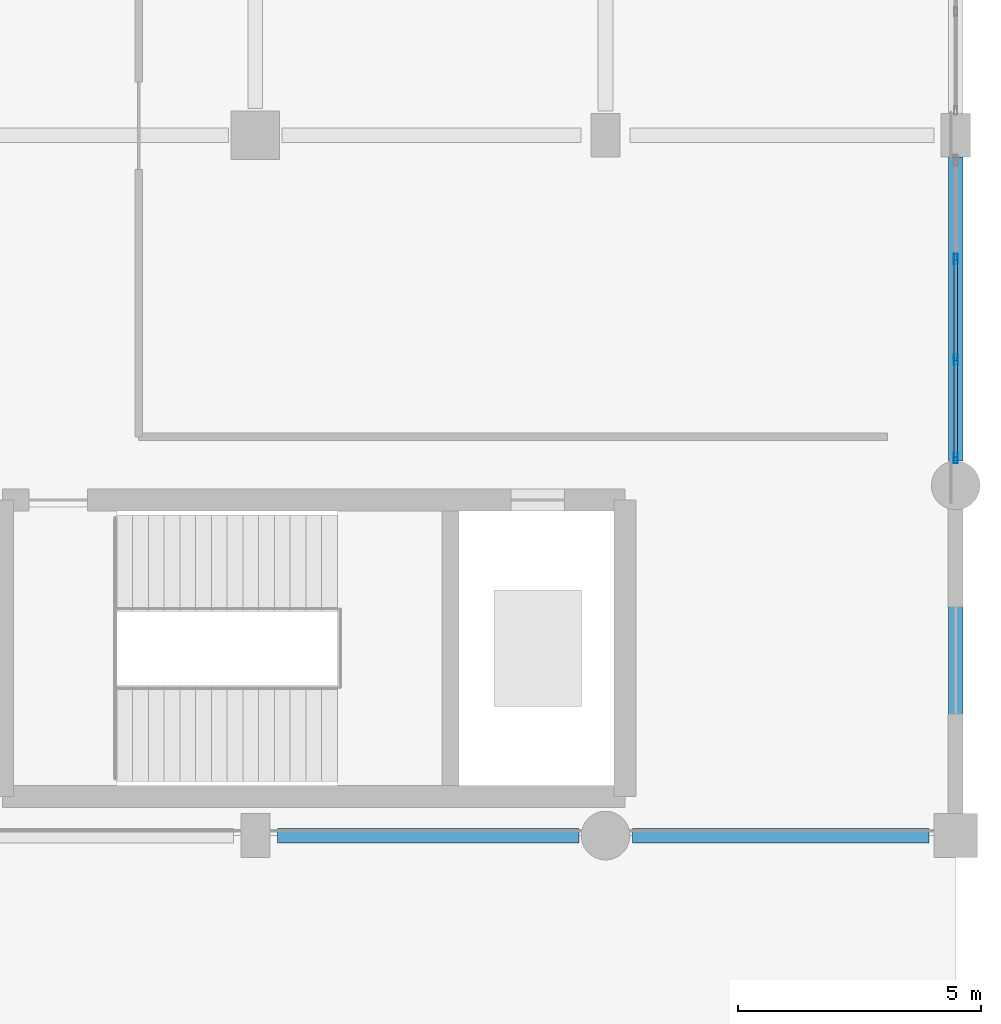
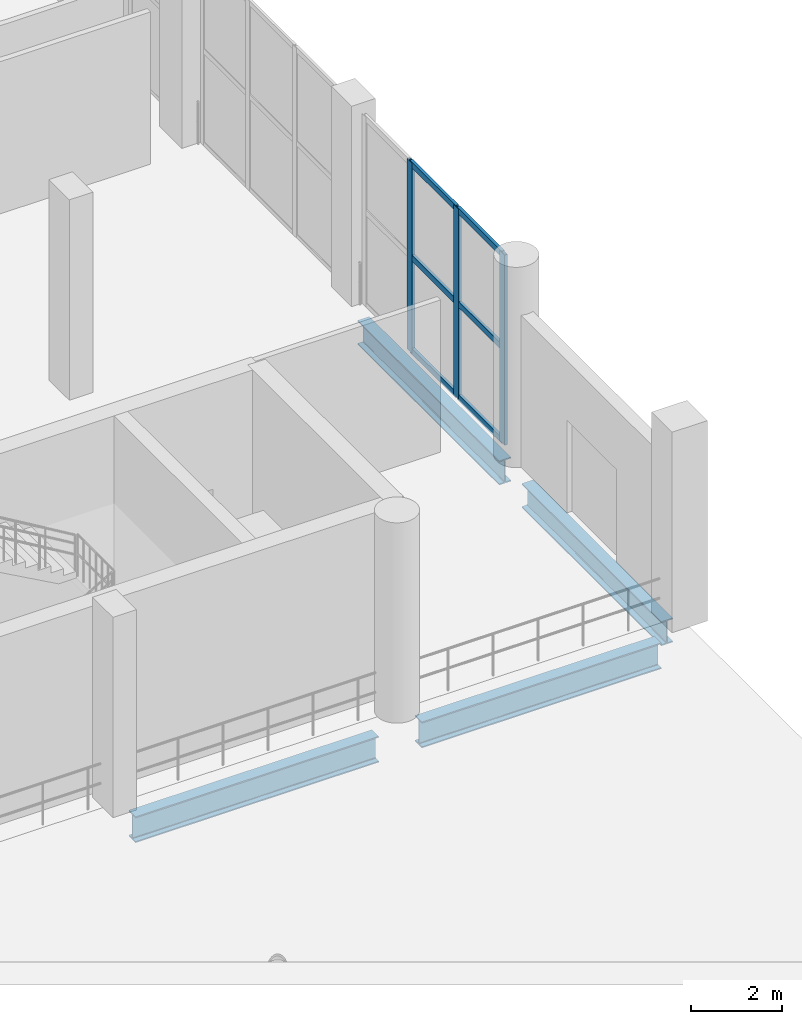
# One storey, part 16 of 58: 9 members, 4 beams, 1 element without a shape of its own.
"""IFC4 building model written with IfcOpenShell, lengths in metres."""

from ifc_helpers import new_model, si_unit, direction, frame, origin, origin_2d, place, context, subcontext, project, spatial, hollow_rectangle, i_section, extrude, material, material_profile, profile_set, type_object, element, aggregate, save


model = new_model("IFC4")

# Units and contexts
model_context = context("Model", 3, precision=1e-05, world=origin(), true_north=direction((0.0, 1.0)))
body_context = subcontext(model_context, "Body", "Model", "MODEL_VIEW")
ifc_project = project(units=[si_unit("LENGTHUNIT", "METRE"), si_unit("AREAUNIT", "SQUARE_METRE"), si_unit("VOLUMEUNIT", "CUBIC_METRE"), si_unit("PLANEANGLEUNIT", "RADIAN"), si_unit("MASSUNIT", "GRAM", prefix="KILO")], contexts=[model_context])

# Site, building, storey
site_placement = place(None, origin())
site = spatial("IfcSite", under=ifc_project, at=site_placement, CompositionType="ELEMENT")
building_placement = place(site_placement, origin())
building = spatial("IfcBuilding", under=site, at=building_placement, Name="Qandorah Velis Arena", CompositionType="ELEMENT")
storey_placement = place(building_placement, origin())
storey = spatial("IfcBuildingStorey", under=building, at=storey_placement, Name="L00", CompositionType="ELEMENT", Elevation=0.0)

# Curtain wall, members
ifc_material_1 = material(Name="Solar-control low-E double glazing", Category="glass")
curtain_wall_type = type_object("IfcCurtainWallType", Name="ARC-CW-SYS13", PredefinedType="USERDEFINED", material=ifc_material_1)
curtain_wall_placement = place(storey_placement, origin())
curtain_wall = element("IfcCurtainWall", 1, at=curtain_wall_placement, inside=storey, type_object=curtain_wall_type, Name="Unitised curtain wall L00-133", ObjectType="UNITISED CURTAIN WALL", PredefinedType="USERDEFINED")
ifc_material_2 = material(Name="Champagne-bronze anodized aluminium 6063-T6", Category="aluminium")
ifc_material_profile_1 = material_profile(ifc_material_2, hollow_rectangle(XDim=0.074951171875, YDim=0.219970703125, WallThickness=0.00390625, at=origin_2d()), Name="ALU MULLION 75x220")
ifc_profile_set_1 = profile_set([ifc_material_profile_1], Name="Champagne-bronze anodized aluminium 6063-T6")
member_type_1 = type_object("IfcMemberType", Name="ARC-CWM-220", PredefinedType="MULLION", material=ifc_profile_set_1)
member_1_placement = place(storey_placement, frame((172.800048828125, 50.96240234375, -0.014892578125), z_axis=(0.0, 0.0, 1.0), x_axis=(-1.0, 0.0, 0.0)))
member_1 = element("IfcMember", 2, at=member_1_placement, type_object=member_type_1, Name="CW13 mullion 1", PredefinedType="MULLION", context=body_context, shape_type="SweptSolid", body=[
    extrude(hollow_rectangle(XDim=0.074951171875, YDim=0.219970703125, WallThickness=0.00390625, at=origin_2d()), origin(), (0.0, 0.0, 1.0), 5.1298828125),
])
member_2_placement = place(storey_placement, frame((172.800048828125, 52.99169921875, -0.014892578125), z_axis=(0.0, 0.0, 1.0), x_axis=(-1.0, 0.0, 0.0)))
member_2 = element("IfcMember", 3, at=member_2_placement, type_object=member_type_1, Name="CW13 mullion 2", PredefinedType="MULLION", context=body_context, shape_type="SweptSolid", body=[
    extrude(hollow_rectangle(XDim=0.074951171875, YDim=0.219970703125, WallThickness=0.00390625, at=origin_2d()), origin(), (0.0, 0.0, 1.0), 5.1298828125),
])
member_3_placement = place(storey_placement, frame((172.800048828125, 55.058349609375, -0.014892578125), z_axis=(0.0, 0.0, 1.0), x_axis=(-1.0, 0.0, 0.0)))
member_3 = element("IfcMember", 4, at=member_3_placement, type_object=member_type_1, Name="CW13 mullion 3", PredefinedType="MULLION", context=body_context, shape_type="SweptSolid", body=[
    extrude(hollow_rectangle(XDim=0.074951171875, YDim=0.219970703125, WallThickness=0.00390625, at=origin_2d()), origin(), (0.0, 0.0, 1.0), 5.1298828125),
])
ifc_material_profile_2 = material_profile(ifc_material_2, hollow_rectangle(XDim=0.074951171875, YDim=0.159912109375, WallThickness=0.00341796875, at=origin_2d()), Name="ALU TRANSOM 75x160")
ifc_profile_set_2 = profile_set([ifc_material_profile_2], Name="Champagne-bronze anodized aluminium 6063-T6")
member_type_2 = type_object("IfcMemberType", Name="ARC-CWT-160", PredefinedType="USERDEFINED", material=ifc_profile_set_2)
member_4_placement = place(storey_placement, frame((172.800048828125, 50.988037109375, 0.03759765625), z_axis=(0.0, 1.0, 0.0), x_axis=(-1.0, 0.0, 0.0)))
member_4 = element("IfcMember", 5, at=member_4_placement, type_object=member_type_2, Name="CW13 transom 1.1", ObjectType="TRANSOM", PredefinedType="USERDEFINED", context=body_context, shape_type="SweptSolid", body=[
    extrude(hollow_rectangle(XDim=0.074951171875, YDim=0.159912109375, WallThickness=0.00341796875, at=origin_2d()), origin(), (0.0, 0.0, 1.0), 1.978271484375),
])
member_5_placement = place(storey_placement, frame((172.800048828125, 50.988037109375, 2.550048828125), z_axis=(0.0, 1.0, 0.0), x_axis=(-1.0, 0.0, 0.0)))
member_5 = element("IfcMember", 6, at=member_5_placement, type_object=member_type_2, Name="CW13 transom 1.2", ObjectType="TRANSOM", PredefinedType="USERDEFINED", context=body_context, shape_type="SweptSolid", body=[
    extrude(hollow_rectangle(XDim=0.074951171875, YDim=0.159912109375, WallThickness=0.00341796875, at=origin_2d()), origin(), (0.0, 0.0, 1.0), 1.978271484375),
])
member_6_placement = place(storey_placement, frame((172.800048828125, 50.988037109375, 5.0625), z_axis=(0.0, 1.0, 0.0), x_axis=(-1.0, 0.0, 0.0)))
member_6 = element("IfcMember", 7, at=member_6_placement, type_object=member_type_2, Name="CW13 transom 1.3", ObjectType="TRANSOM", PredefinedType="USERDEFINED", context=body_context, shape_type="SweptSolid", body=[
    extrude(hollow_rectangle(XDim=0.074951171875, YDim=0.159912109375, WallThickness=0.00341796875, at=origin_2d()), origin(), (0.0, 0.0, 1.0), 1.978271484375),
])
member_7_placement = place(storey_placement, frame((172.800048828125, 53.01708984375, 0.03759765625), z_axis=(0.0, 1.0, 0.0), x_axis=(-1.0, 0.0, 0.0)))
member_7 = element("IfcMember", 8, at=member_7_placement, type_object=member_type_2, Name="CW13 transom 2.1", ObjectType="TRANSOM", PredefinedType="USERDEFINED", context=body_context, shape_type="SweptSolid", body=[
    extrude(hollow_rectangle(XDim=0.074951171875, YDim=0.159912109375, WallThickness=0.00341796875, at=origin_2d()), origin(), (0.0, 0.0, 1.0), 2.015625),
])
member_8_placement = place(storey_placement, frame((172.800048828125, 53.01708984375, 2.550048828125), z_axis=(0.0, 1.0, 0.0), x_axis=(-1.0, 0.0, 0.0)))
member_8 = element("IfcMember", 9, at=member_8_placement, type_object=member_type_2, Name="CW13 transom 2.2", ObjectType="TRANSOM", PredefinedType="USERDEFINED", context=body_context, shape_type="SweptSolid", body=[
    extrude(hollow_rectangle(XDim=0.074951171875, YDim=0.159912109375, WallThickness=0.00341796875, at=origin_2d()), origin(), (0.0, 0.0, 1.0), 2.015625),
])
member_9_placement = place(storey_placement, frame((172.800048828125, 53.01708984375, 5.0625), z_axis=(0.0, 1.0, 0.0), x_axis=(-1.0, 0.0, 0.0)))
member_9 = element("IfcMember", 10, at=member_9_placement, type_object=member_type_2, Name="CW13 transom 2.3", ObjectType="TRANSOM", PredefinedType="USERDEFINED", context=body_context, shape_type="SweptSolid", body=[
    extrude(hollow_rectangle(XDim=0.074951171875, YDim=0.159912109375, WallThickness=0.00341796875, at=origin_2d()), origin(), (0.0, 0.0, 1.0), 2.015625),
])
aggregate(curtain_wall, [member_1, member_2, member_3, member_4, member_5, member_6, member_7, member_8, member_9])

# Beams
ifc_material_3 = material(Name="Steel S355", Category="steel")
ifc_material_profile_3 = material_profile(ifc_material_3, i_section(OverallWidth=0.300048828125, OverallDepth=0.64990234375, WebThickness=0.01611328125, FlangeThickness=0.031005859375, FilletRadius=0.027099609375, at=origin_2d()), Name="HEB 650")
ifc_profile_set_3 = profile_set([ifc_material_profile_3], Name="Steel S355")
beam_type_1 = type_object("IfcBeamType", Name="STR-BM-HEB650", PredefinedType="BEAM", material=ifc_profile_set_3)
beam_1_placement = place(storey_placement, frame((172.800048828125, 43.75, -0.7451171875), z_axis=(0.0, 1.0, 0.0), x_axis=(-1.0, 0.0, 0.0)))
element("IfcBeam", 11, at=beam_1_placement, inside=storey, type_object=beam_type_1, Name="Primary floor girder L00 Y-525", PredefinedType="BEAM", context=body_context, shape_type="SweptSolid", body=[
    extrude(i_section(OverallWidth=0.300048828125, OverallDepth=0.64990234375, WebThickness=0.01611328125, FlangeThickness=0.031005859375, FilletRadius=0.027099609375, at=origin_2d()), origin(), (0.0, 0.0, 1.0), 6.14990234375),
])
beam_2_placement = place(storey_placement, frame((172.800048828125, 50.89990234375, -0.7451171875), z_axis=(0.0, 1.0, 0.0), x_axis=(-1.0, 0.0, 0.0)))
element("IfcBeam", 12, at=beam_2_placement, inside=storey, type_object=beam_type_1, Name="Primary floor girder L00 Y-526", PredefinedType="BEAM", context=body_context, shape_type="SweptSolid", body=[
    extrude(i_section(OverallWidth=0.300048828125, OverallDepth=0.64990234375, WebThickness=0.01611328125, FlangeThickness=0.031005859375, FilletRadius=0.027099609375, at=origin_2d()), origin(), (0.0, 0.0, 1.0), 6.25),
])
ifc_material_profile_4 = material_profile(ifc_material_3, i_section(OverallWidth=0.300048828125, OverallDepth=0.699951171875, WebThickness=0.01708984375, FlangeThickness=0.031982421875, FilletRadius=0.027099609375, at=origin_2d()), Name="HEB 700")
ifc_profile_set_4 = profile_set([ifc_material_profile_4], Name="Steel S355")
beam_type_2 = type_object("IfcBeamType", Name="STR-BM-HEB700", PredefinedType="BEAM", material=ifc_profile_set_4)
beam_3_placement = place(storey_placement, frame((158.85009765625, 43.199951171875, -0.77001953125), z_axis=(1.0, 0.0, 0.0), x_axis=(0.0, 1.0, 0.0)))
element("IfcBeam", 13, at=beam_3_placement, inside=storey, type_object=beam_type_2, Name="Primary floor girder L00 X-108", PredefinedType="BEAM", context=body_context, shape_type="SweptSolid", body=[
    extrude(i_section(OverallWidth=0.300048828125, OverallDepth=0.699951171875, WebThickness=0.01708984375, FlangeThickness=0.031982421875, FilletRadius=0.027099609375, at=origin_2d()), origin(), (0.0, 0.0, 1.0), 6.199951171875),
])
beam_4_placement = place(storey_placement, frame((166.14990234375, 43.199951171875, -0.77001953125), z_axis=(1.0, 0.0, 0.0), x_axis=(0.0, 1.0, 0.0)))
element("IfcBeam", 14, at=beam_4_placement, inside=storey, type_object=beam_type_2, Name="Primary floor girder L00 X-109", PredefinedType="BEAM", context=body_context, shape_type="SweptSolid", body=[
    extrude(i_section(OverallWidth=0.300048828125, OverallDepth=0.699951171875, WebThickness=0.01708984375, FlangeThickness=0.031982421875, FilletRadius=0.027099609375, at=origin_2d()), origin(), (0.0, 0.0, 1.0), 6.10009765625),
])

save(model, "model.ifc")
